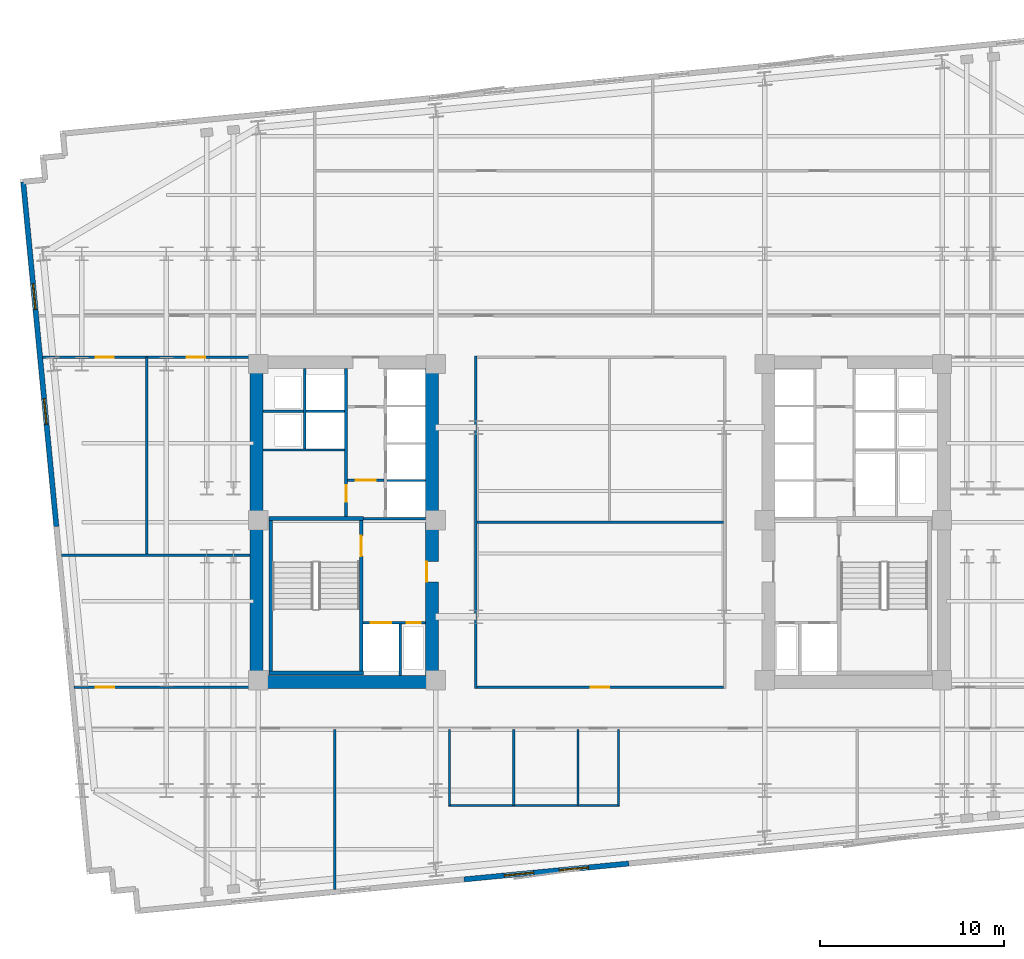
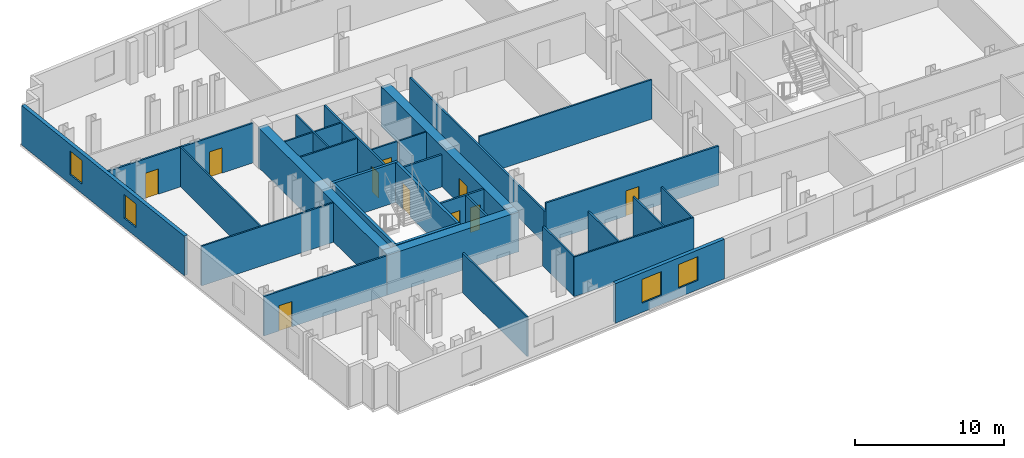
# One storey, part 4 of 10: 32 walls, 10 doors, 4 windows, 14 openings.
"""IFC4 building model written with IfcOpenShell, lengths in metres."""

from ifc_helpers import new_model, si_unit, direction, frame, frame_2d, origin, place, context, subcontext, project, spatial, rectangle, extrude, material, layer, layer_set, type_object, element, fill, save


model = new_model("IFC4")

# Units and contexts
model_context = context("Model", 3, precision=1e-05, world=origin(), true_north=direction((0.0, 1.0)))
body_context = subcontext(model_context, "Body", "Model", "MODEL_VIEW")
ifc_project = project(units=[si_unit("LENGTHUNIT", "METRE"), si_unit("AREAUNIT", "SQUARE_METRE"), si_unit("VOLUMEUNIT", "CUBIC_METRE"), si_unit("PLANEANGLEUNIT", "RADIAN"), si_unit("MASSUNIT", "GRAM", prefix="KILO")], contexts=[model_context])

# Site, building, storey
site_placement = place(None, origin())
site = spatial("IfcSite", under=ifc_project, at=site_placement, CompositionType="ELEMENT")
building_placement = place(site_placement, origin())
building = spatial("IfcBuilding", under=site, at=building_placement, Name="Velakula Bourse", CompositionType="ELEMENT")
storey_placement = place(building_placement, frame((0.0, 0.0, 94.89990234375)))
storey = spatial("IfcBuildingStorey", under=building, at=storey_placement, Name="L25", CompositionType="ELEMENT", Elevation=94.89990234375)

# Wall, opening, door
ifc_material_1 = material(Name="Concrete M50 (fck 50 MPa)", Category="concrete")
ifc_layer_1 = layer(ifc_material_1, 0.2099609375, Name="Concrete M50 (fck 50 MPa)", Category="concrete")
ifc_layer_set_1 = layer_set([ifc_layer_1], Name="Concrete M50 (fck 50 MPa)")
wall_type_1 = type_object("IfcWallType", Name="WL-CORE-210", PredefinedType="SHEAR", material=ifc_layer_set_1)
wall_1_placement = place(storey_placement, frame((-12.9951171875, -8.10009765625, 0.0), z_axis=(0.0, 0.0, 1.0), x_axis=(0.0, 1.0, 0.0)))
wall_1 = element("IfcWall", 1, at=wall_1_placement, inside=storey, type_object=wall_type_1, Name="L25 Core W Stairwell Shear Wall IN", PredefinedType="SHEAR", context=body_context, shape_type="SweptSolid", body=[
    extrude(rectangle(XDim=8.2001953125, YDim=0.2099609375, at=frame_2d((4.10009765625, 0.0))), origin(), (0.0, 0.0, 1.0), 3.27001953125),
])
opening_1_placement = place(wall_1_placement, frame((6.25, 0.0, 0.0)))
opening_1 = element("IfcOpeningElement", 2, at=opening_1_placement, cuts=wall_1, Name="Opening D-STW1", PredefinedType="OPENING", context=body_context, shape_type="SweptSolid", body=[
    extrude(rectangle(XDim=1.10009765625, YDim=2.14990234375, at=frame_2d((0.550048828125, 1.074951171875))), frame((0.0, 0.114990234375, 0.0), z_axis=(0.0, -1.0, 0.0), x_axis=(1.0, 0.0, 0.0)), (0.0, 0.0, 1.0), 0.22998046875),
])
ifc_material_2 = material(Name="Galvanised painted hollow steel fire door", Category="steel")
door_type_1 = type_object("IfcDoorType", Name="DR-FD120-1100x2150", OperationType="NOTDEFINED", PredefinedType="DOOR", material=ifc_material_2)
door_1_placement = place(opening_1_placement, origin())
door_1 = element("IfcDoor", 3, at=door_1_placement, inside=storey, type_object=door_type_1, Name="L25 Stair ST-W1 Fire Door", OperationType="SINGLE_SWING_LEFT", OverallHeight=2.14990234375, OverallWidth=1.10009765625, PredefinedType="DOOR", context=body_context, shape_type="SweptSolid", body=[
    extrude(rectangle(XDim=1.10009765625, YDim=2.14990234375, at=frame_2d((0.550048828125, 1.074951171875))), frame((0.0, 0.02490234375, 0.0), z_axis=(0.0, -1.0, 0.0), x_axis=(1.0, 0.0, 0.0)), (0.0, 0.0, 1.0), 0.050048828125),
])
fill(opening_1, door_1)

# Walls
wall_2_placement = place(storey_placement, frame((-17.925048828125, -8.10009765625, 0.0), z_axis=(0.0, 0.0, 1.0), x_axis=(0.0, 1.0, 0.0)))
element("IfcWall", 4, at=wall_2_placement, inside=storey, type_object=wall_type_1, Name="L25 Core W Stairwell Shear Wall OUT", PredefinedType="SHEAR", context=body_context, shape_type="SweptSolid", body=[
    extrude(rectangle(XDim=8.2001953125, YDim=0.2099609375, at=frame_2d((4.10009765625, 0.0))), origin(), (0.0, 0.0, 1.0), 3.27001953125),
])
for number, where, z_axis, x_axis, name in (
    (5, (-18.030029296875, -8.205078125, 0.0), (0.0, 0.0, 1.0), (1.0, 0.0, 0.0), "L25 Core W Stairwell Shear Wall S"),
    (6, (-12.889892578125, 0.205078125, 0.0), (0.0, 0.0, 1.0), (-1.0, 0.0, 0.0), "L25 Core W Stairwell Shear Wall N"),
):
    element("IfcWall", number, at=place(storey_placement, frame(where, z_axis=z_axis, x_axis=x_axis)), inside=storey, type_object=wall_type_1, Name=name, PredefinedType="SHEAR", context=body_context, shape_type="SweptSolid", body=[
        extrude(rectangle(XDim=5.14013671875, YDim=0.2099609375, at=frame_2d((2.570068359375, 0.0))), origin(), (0.0, 0.0, 1.0), 3.27001953125),
    ])
ifc_material_3 = material(Name="Concrete M70 (fck 70 MPa)", Category="concrete")
ifc_layer_2 = layer(ifc_material_3, 0.699951171875, Name="Concrete M70 (fck 70 MPa)", Category="concrete")
ifc_layer_set_2 = layer_set([ifc_layer_2], Name="Concrete M70 (fck 70 MPa)")
wall_type_2 = type_object("IfcWallType", Name="WL-CORE-700", PredefinedType="SHEAR", material=ifc_layer_set_2)
wall_3_placement = place(storey_placement, frame((-19.050048828125, -8.699951171875, 0.0), z_axis=(0.0, 0.0, 1.0), x_axis=(1.0, 0.0, 0.0)))
element("IfcWall", 7, at=wall_3_placement, inside=storey, type_object=wall_type_2, Name="L25 Core W Shear Wall S", PredefinedType="SHEAR", context=body_context, shape_type="SweptSolid", body=[
    extrude(rectangle(XDim=10.25, YDim=0.699951171875, at=frame_2d((5.125, 0.0))), origin(), (0.0, 0.0, 1.0), 3.27001953125),
])
wall_4_placement = place(storey_placement, frame((-18.699951171875, -8.35009765625, 0.0), z_axis=(0.0, 0.0, 1.0), x_axis=(0.0, 1.0, 0.0)))
element("IfcWall", 8, at=wall_4_placement, inside=storey, type_object=wall_type_2, Name="L25 Core W Shear Wall W", PredefinedType="SHEAR", context=body_context, shape_type="SweptSolid", body=[
    extrude(rectangle(XDim=16.7001953125, YDim=0.699951171875, at=frame_2d((8.35009765625, 0.0))), origin(), (0.0, 0.0, 1.0), 3.27001953125),
])

# Wall, opening, door
wall_5_placement = place(storey_placement, frame((-9.14990234375, -8.35009765625, 0.0), z_axis=(0.0, 0.0, 1.0), x_axis=(0.0, 1.0, 0.0)))
wall_5 = element("IfcWall", 9, at=wall_5_placement, inside=storey, type_object=wall_type_2, Name="L25 Core W Shear Wall E", PredefinedType="SHEAR", context=body_context, shape_type="SweptSolid", body=[
    extrude(rectangle(XDim=16.7001953125, YDim=0.699951171875, at=frame_2d((8.35009765625, 0.0))), origin(), (0.0, 0.0, 1.0), 3.27001953125),
])
opening_2_placement = place(wall_5_placement, frame((5.10009765625, 0.0, 0.0)))
opening_2 = element("IfcOpeningElement", 10, at=opening_2_placement, cuts=wall_5, Name="Opening D-FLW", PredefinedType="OPENING", context=body_context, shape_type="SweptSolid", body=[
    extrude(rectangle(XDim=1.10009765625, YDim=2.080078125, at=frame_2d((0.550048828125, 1.0400390625))), frame((0.0, 0.35986328125, 0.0), z_axis=(0.0, -1.0, 0.0), x_axis=(1.0, 0.0, 0.0)), (0.0, 0.0, 1.0), 0.719970703125),
])
door_type_2 = type_object("IfcDoorType", Name="DR-FD120-1100", OperationType="NOTDEFINED", PredefinedType="DOOR", material=ifc_material_2)
door_2_placement = place(opening_2_placement, origin())
door_2 = element("IfcDoor", 11, at=door_2_placement, inside=storey, type_object=door_type_2, Name="L25 Firefighting Lobby W Corridor Fire Door", OperationType="SINGLE_SWING_LEFT", OverallHeight=2.080078125, OverallWidth=1.10009765625, PredefinedType="DOOR", context=body_context, shape_type="SweptSolid", body=[
    extrude(rectangle(XDim=1.10009765625, YDim=2.080078125, at=frame_2d((0.550048828125, 1.0400390625))), frame((0.0, 0.30517578125, 0.0), z_axis=(0.0, -1.0, 0.0), x_axis=(1.0, 0.0, 0.0)), (0.0, 0.0, 1.0), 0.050048828125),
])
fill(opening_2, door_2)

# Wall, openings, windows
ifc_material_4 = material(Name="Red kilned clay facing brick masonry", Category="masonry")
ifc_layer_3 = layer(ifc_material_4, 0.280029296875, Name="Red kilned clay facing brick masonry", Category="masonry")
ifc_layer_set_3 = layer_set([ifc_layer_3], Name="Red kilned clay facing brick masonry")
wall_type_3 = type_object("IfcWallType", Name="WL-EXT-BRK-280", PredefinedType="STANDARD", material=ifc_layer_set_3)
wall_6_placement = place(storey_placement, frame((1.556396484375, -18.573486328125, 0.0), z_axis=(0.0, 0.0, 1.0), x_axis=(-0.995396794462, -0.09583956164, 0.0)))
wall_6 = element("IfcWall", 12, at=wall_6_placement, inside=storey, type_object=wall_type_3, Name="L25 S Brick Spandrel Wall B2", PredefinedType="STANDARD", context=body_context, shape_type="SweptSolid", body=[
    extrude(rectangle(XDim=9.0, YDim=0.280029296875, at=frame_2d((4.5, 0.0))), origin(), (0.0, 0.0, 1.0), 3.25),
])
opening_3_placement = place(wall_6_placement, frame((2.199951171875, 0.0, 0.760009765625)))
opening_3 = element("IfcOpeningElement", 13, at=opening_3_placement, cuts=wall_6, Name="Opening W-02", PredefinedType="OPENING", context=body_context, shape_type="SweptSolid", body=[
    extrude(rectangle(XDim=1.60009765625, YDim=1.949951171875, at=frame_2d((0.800048828125, 0.97509765625))), frame((0.0, 0.14990234375, 0.0), z_axis=(0.0, -1.0, 0.0), x_axis=(1.0, 0.0, 0.0)), (0.0, 0.0, 1.0), 0.300048828125),
])
opening_4_placement = place(wall_6_placement, frame((5.199951171875, 0.0, 0.760009765625)))
opening_4 = element("IfcOpeningElement", 14, at=opening_4_placement, cuts=wall_6, Name="Opening W-02", PredefinedType="OPENING", context=body_context, shape_type="SweptSolid", body=[
    extrude(rectangle(XDim=1.60009765625, YDim=1.949951171875, at=frame_2d((0.800048828125, 0.97509765625))), frame((0.0, 0.14990234375, 0.0), z_axis=(0.0, -1.0, 0.0), x_axis=(1.0, 0.0, 0.0)), (0.0, 0.0, 1.0), 0.300048828125),
])
ifc_material_5 = material(Name="Double-glazed solar-control Low-E glass", Category="glass")
window_type_1 = type_object("IfcWindowType", Name="WIN-TWR-1600x2100", PartitioningType="SINGLE_PANEL", PredefinedType="WINDOW", material=ifc_material_5)
window_1_placement = place(opening_3_placement, origin())
window_1 = element("IfcWindow", 15, at=window_1_placement, inside=storey, type_object=window_type_1, Name="L25 Deep-Set Recessed Window 1", OverallHeight=1.949951171875, OverallWidth=1.60009765625, PartitioningType="SINGLE_PANEL", PredefinedType="WINDOW", context=body_context, shape_type="SweptSolid", body=[
    extrude(rectangle(XDim=1.60009765625, YDim=1.949951171875, at=frame_2d((0.800048828125, 0.97509765625))), frame((0.0, 0.030029296875, 0.0), z_axis=(0.0, -1.0, 0.0), x_axis=(1.0, 0.0, 0.0)), (0.0, 0.0, 1.0), 0.06005859375),
])
fill(opening_3, window_1)
window_2_placement = place(opening_4_placement, origin())
window_2 = element("IfcWindow", 16, at=window_2_placement, inside=storey, type_object=window_type_1, Name="L25 Deep-Set Recessed Window 2", OverallHeight=1.949951171875, OverallWidth=1.60009765625, PartitioningType="SINGLE_PANEL", PredefinedType="WINDOW", context=body_context, shape_type="SweptSolid", body=[
    extrude(rectangle(XDim=1.60009765625, YDim=1.949951171875, at=frame_2d((0.800048828125, 0.97509765625))), frame((0.0, 0.030029296875, 0.0), z_axis=(0.0, -1.0, 0.0), x_axis=(1.0, 0.0, 0.0)), (0.0, 0.0, 1.0), 0.06005859375),
])
fill(opening_4, window_2)

wall_7_placement = place(storey_placement, frame((-29.584716796875, -0.23388671875, 0.0), z_axis=(0.0, 0.0, 1.0), x_axis=(-0.095841297881, 0.99539662729, 0.0)))
wall_7 = element("IfcWall", 17, at=wall_7_placement, inside=storey, type_object=wall_type_3, Name="L25 W Brick End Wall W2", PredefinedType="STANDARD", context=body_context, shape_type="SweptSolid", body=[
    extrude(rectangle(XDim=18.840087890625, YDim=0.280029296875, at=frame_2d((9.419921875, 0.0))), origin(), (0.0, 0.0, 1.0), 3.25),
])
opening_5_placement = place(wall_7_placement, frame((5.580078125, 0.0, 0.760009765625)))
opening_5 = element("IfcOpeningElement", 18, at=opening_5_placement, cuts=wall_7, Name="Opening W-03", PredefinedType="OPENING", context=body_context, shape_type="SweptSolid", body=[
    extrude(rectangle(XDim=1.39990234375, YDim=1.949951171875, at=frame_2d((0.699951171875, 0.97509765625))), frame((0.0, 0.14990234375, 0.0), z_axis=(0.0, -1.0, 0.0), x_axis=(1.0, 0.0, 0.0)), (0.0, 0.0, 1.0), 0.300048828125),
])
opening_6_placement = place(wall_7_placement, frame((11.860107421875, 0.0, 0.760009765625)))
opening_6 = element("IfcOpeningElement", 19, at=opening_6_placement, cuts=wall_7, Name="Opening W-03", PredefinedType="OPENING", context=body_context, shape_type="SweptSolid", body=[
    extrude(rectangle(XDim=1.39990234375, YDim=1.949951171875, at=frame_2d((0.699951171875, 0.97509765625))), frame((0.0, 0.14990234375, 0.0), z_axis=(0.0, -1.0, 0.0), x_axis=(1.0, 0.0, 0.0)), (0.0, 0.0, 1.0), 0.300048828125),
])
window_type_2 = type_object("IfcWindowType", Name="WIN-TWR-1400x2100", PartitioningType="SINGLE_PANEL", PredefinedType="WINDOW", material=ifc_material_5)
window_3_placement = place(opening_5_placement, origin())
window_3 = element("IfcWindow", 20, at=window_3_placement, inside=storey, type_object=window_type_2, Name="L25 Deep-Set Recessed Window 1", OverallHeight=1.949951171875, OverallWidth=1.39990234375, PartitioningType="SINGLE_PANEL", PredefinedType="WINDOW", context=body_context, shape_type="SweptSolid", body=[
    extrude(rectangle(XDim=1.39990234375, YDim=1.949951171875, at=frame_2d((0.699951171875, 0.97509765625))), frame((0.0, 0.030029296875, 0.0), z_axis=(0.0, -1.0, 0.0), x_axis=(1.0, 0.0, 0.0)), (0.0, 0.0, 1.0), 0.06005859375),
])
fill(opening_5, window_3)
window_4_placement = place(opening_6_placement, origin())
window_4 = element("IfcWindow", 21, at=window_4_placement, inside=storey, type_object=window_type_2, Name="L25 Deep-Set Recessed Window 2", OverallHeight=1.949951171875, OverallWidth=1.39990234375, PartitioningType="SINGLE_PANEL", PredefinedType="WINDOW", context=body_context, shape_type="SweptSolid", body=[
    extrude(rectangle(XDim=1.39990234375, YDim=1.949951171875, at=frame_2d((0.699951171875, 0.97509765625))), frame((0.0, 0.030029296875, 0.0), z_axis=(0.0, -1.0, 0.0), x_axis=(1.0, 0.0, 0.0)), (0.0, 0.0, 1.0), 0.06005859375),
])
fill(opening_6, window_4)

# Wall, opening, door
ifc_material_6 = material(Name="Fire-rated double-layer gypsum drywall partition", Category="gypsum")
ifc_layer_4 = layer(ifc_material_6, 0.1201171875, Name="Fire-rated double-layer gypsum drywall partition", Category="gypsum")
ifc_layer_set_4 = layer_set([ifc_layer_4], Name="Fire-rated double-layer gypsum drywall partition")
wall_type_4 = type_object("IfcWallType", Name="WL-PART-120", PredefinedType="STANDARD", material=ifc_layer_set_4)
wall_8_placement = place(storey_placement, frame((-13.75, 2.280029296875, 0.0), z_axis=(0.0, 0.0, 1.0), x_axis=(1.0, 0.0, 0.0)))
wall_8 = element("IfcWall", 22, at=wall_8_placement, inside=storey, type_object=wall_type_4, Name="L25 Interior Partition WL-CRW-L25-LL-K3A", PredefinedType="STANDARD", context=body_context, shape_type="SweptSolid", body=[
    extrude(rectangle(XDim=2.0, YDim=0.1201171875, at=frame_2d((1.0, 0.0))), origin(), (0.0, 0.0, 1.0), 3.25),
])
opening_7_placement = place(wall_8_placement, frame((0.449951171875, 0.0, 0.0)))
opening_7 = element("IfcOpeningElement", 23, at=opening_7_placement, cuts=wall_8, Name="Opening D-LK3", PredefinedType="OPENING", context=body_context, shape_type="SweptSolid", body=[
    extrude(rectangle(XDim=1.10009765625, YDim=2.10009765625, at=frame_2d((0.550048828125, 1.050048828125))), frame((0.0, 0.070068359375, 0.0), z_axis=(0.0, -1.0, 0.0), x_axis=(1.0, 0.0, 0.0)), (0.0, 0.0, 1.0), 0.14013671875),
])
ifc_material_7 = material(Name="Fire-rated hardwood flush architectural door", Category="wood")
door_type_3 = type_object("IfcDoorType", Name="DR-FD60-1100x2100", OperationType="NOTDEFINED", PredefinedType="DOOR", material=ifc_material_7)
door_3_placement = place(opening_7_placement, origin())
door_3 = element("IfcDoor", 24, at=door_3_placement, inside=storey, type_object=door_type_3, Name="L25 Core W Lift Lobby Vestibule Door A", OperationType="SINGLE_SWING_RIGHT", OverallHeight=2.10009765625, OverallWidth=1.10009765625, PredefinedType="DOOR", context=body_context, shape_type="SweptSolid", body=[
    extrude(rectangle(XDim=1.10009765625, YDim=2.10009765625, at=frame_2d((0.550048828125, 1.050048828125))), frame((0.0, 0.02490234375, 0.0), z_axis=(0.0, -1.0, 0.0), x_axis=(1.0, 0.0, 0.0)), (0.0, 0.0, 1.0), 0.050048828125),
])
fill(opening_7, door_3)

# Walls
wall_9_placement = place(storey_placement, frame((-11.60009765625, 2.2548828125, 0.0), z_axis=(0.0, 0.0, 1.0), x_axis=(1.0, 0.0, 0.0)))
element("IfcWall", 25, at=wall_9_placement, inside=storey, type_object=wall_type_4, Name="L25 Interior Partition WL-CRW-L25-BDIV-0", PredefinedType="STANDARD", context=body_context, shape_type="SweptSolid", body=[
    extrude(rectangle(XDim=2.10009765625, YDim=0.110107421875, at=frame_2d((1.050048828125, 0.0))), origin(), (0.0, 0.0, 1.0), 3.25),
])
wall_10_placement = place(storey_placement, frame((-18.35009765625, 3.919921875, 0.0), z_axis=(0.0, 0.0, 1.0), x_axis=(1.0, 0.0, 0.0)))
element("IfcWall", 26, at=wall_10_placement, inside=storey, type_object=wall_type_4, Name="L25 Interior Partition WL-CRW-L25-HI-S", PredefinedType="STANDARD", context=body_context, shape_type="SweptSolid", body=[
    extrude(rectangle(XDim=4.4501953125, YDim=0.1201171875, at=frame_2d((2.22509765625, 0.0))), origin(), (0.0, 0.0, 1.0), 3.25),
])
wall_11_placement = place(storey_placement, frame((-18.35009765625, 6.030029296875, 0.0), z_axis=(0.0, 0.0, 1.0), x_axis=(1.0, 0.0, 0.0)))
element("IfcWall", 27, at=wall_11_placement, inside=storey, type_object=wall_type_4, Name="L25 Interior Partition WL-CRW-L25-RIS-MID", PredefinedType="STANDARD", context=body_context, shape_type="SweptSolid", body=[
    extrude(rectangle(XDim=2.2001953125, YDim=0.1201171875, at=frame_2d((1.10009765625, 0.0))), origin(), (0.0, 0.0, 1.0), 3.25),
])
wall_12_placement = place(storey_placement, frame((-16.074951171875, 3.97998046875, 0.0), z_axis=(0.0, 0.0, 1.0), x_axis=(0.0, 1.0, 0.0)))
element("IfcWall", 28, at=wall_12_placement, inside=storey, type_object=wall_type_4, Name="L25 Interior Partition WL-CRW-L25-RIS-F", PredefinedType="STANDARD", context=body_context, shape_type="SweptSolid", body=[
    extrude(rectangle(XDim=4.3701171875, YDim=0.1201171875, at=frame_2d((2.18505859375, 0.0))), origin(), (0.0, 0.0, 1.0), 3.25),
])
wall_13_placement = place(storey_placement, frame((-16.0, 6.030029296875, 0.0), z_axis=(0.0, 0.0, 1.0), x_axis=(1.0, 0.0, 0.0)))
element("IfcWall", 29, at=wall_13_placement, inside=storey, type_object=wall_type_4, Name="L25 Interior Partition WL-CRW-L25-HI-DIV", PredefinedType="STANDARD", context=body_context, shape_type="SweptSolid", body=[
    extrude(rectangle(XDim=2.10009765625, YDim=0.1201171875, at=frame_2d((1.050048828125, 0.0))), origin(), (0.0, 0.0, 1.0), 3.25),
])
wall_14_placement = place(storey_placement, frame((-8.260009765625, -15.419921875, 0.0), z_axis=(0.0, 0.0, 1.0), x_axis=(1.0, 0.0, 0.0)))
element("IfcWall", 30, at=wall_14_placement, inside=storey, type_object=wall_type_4, Name="L25 Interior Partition WL-WC-L25-BACK", PredefinedType="STANDARD", context=body_context, shape_type="SweptSolid", body=[
    extrude(rectangle(XDim=9.320068359375, YDim=0.1201171875, at=frame_2d((4.66015625, 0.0))), origin(), (0.0, 0.0, 1.0), 3.25),
])
for number, where, z_axis, x_axis, name in (
    (31, (-8.199951171875, -15.419921875, 0.0), (0.0, 0.0, 1.0), (0.0, 1.0, 0.0), "L25 Interior Partition WL-WC-L25-V1"),
    (32, (-4.699951171875, -15.419921875, 0.0), (0.0, 0.0, 1.0), (0.0, 1.0, 0.0), "L25 Interior Partition WL-WC-L25-V2"),
    (33, (-1.199951171875, -15.419921875, 0.0), (0.0, 0.0, 1.0), (0.0, 1.0, 0.0), "L25 Interior Partition WL-WC-L25-V3"),
    (34, (1.0, -15.419921875, 0.0), (0.0, 0.0, 1.0), (0.0, 1.0, 0.0), "L25 Interior Partition WL-WC-L25-V4"),
):
    element("IfcWall", number, at=place(storey_placement, frame(where, z_axis=z_axis, x_axis=x_axis)), inside=storey, type_object=wall_type_4, Name=name, PredefinedType="STANDARD", context=body_context, shape_type="SweptSolid", body=[
        extrude(rectangle(XDim=4.1298828125, YDim=0.1201171875, at=frame_2d((2.06494140625, 0.0))), origin(), (0.0, 0.0, 1.0), 3.25),
    ])
wall_15_placement = place(storey_placement, frame((-14.443115234375, -19.993408203125, 0.0), z_axis=(0.0, 0.0, 1.0), x_axis=(0.0, 1.0, 0.0)))
element("IfcWall", 35, at=wall_15_placement, inside=storey, type_object=wall_type_4, Name="L25 Interior Partition WL-INT-L25-SL-D6", PredefinedType="STANDARD", context=body_context, shape_type="SweptSolid", body=[
    extrude(rectangle(XDim=8.703369140625, YDim=0.1201171875, at=frame_2d((4.3515625, 0.0))), origin(), (0.0, 0.0, 1.0), 3.25),
])
wall_16_placement = place(storey_placement, frame((-29.313232421875, -1.800048828125, 0.0), z_axis=(0.0, 0.0, 1.0), x_axis=(1.0, 0.0, 0.0)))
element("IfcWall", 36, at=wall_16_placement, inside=storey, type_object=wall_type_4, Name="L25 Interior Partition WL-INT-L25-W-H", PredefinedType="STANDARD", context=body_context, shape_type="SweptSolid", body=[
    extrude(rectangle(XDim=10.26318359375, YDim=0.1201171875, at=frame_2d((5.131591796875, 0.0))), origin(), (0.0, 0.0, 1.0), 3.25),
])
wall_17_placement = place(storey_placement, frame((-24.6708984375, -1.739990234375, 0.0), z_axis=(0.0, 0.0, 1.0), x_axis=(0.0, 1.0, 0.0)))
element("IfcWall", 37, at=wall_17_placement, inside=storey, type_object=wall_type_4, Name="L25 Interior Partition WL-INT-L25-W-VN", PredefinedType="STANDARD", context=body_context, shape_type="SweptSolid", body=[
    extrude(rectangle(XDim=10.719970703125, YDim=0.1201171875, at=frame_2d((5.35986328125, 0.0))), origin(), (0.0, 0.0, 1.0), 3.25),
])

# Wall, openings, doors
ifc_layer_5 = layer(ifc_material_6, 0.139892578125, Name="Fire-rated double-layer gypsum drywall partition", Category="gypsum")
ifc_layer_set_5 = layer_set([ifc_layer_5], Name="Fire-rated double-layer gypsum drywall partition")
wall_type_5 = type_object("IfcWallType", Name="WL-PART-140", PredefinedType="STANDARD", material=ifc_layer_set_5)
wall_18_placement = place(storey_placement, frame((-30.351318359375, 8.97998046875, 0.0), z_axis=(0.0, 0.0, 1.0), x_axis=(1.0, 0.0, 0.0)))
wall_18 = element("IfcWall", 38, at=wall_18_placement, inside=storey, type_object=wall_type_5, Name="L25 Interior Partition WL-INT-L25-W-NC", PredefinedType="STANDARD", context=body_context, shape_type="SweptSolid", body=[
    extrude(rectangle(XDim=11.30126953125, YDim=0.139892578125, at=frame_2d((5.650634765625, 0.0))), origin(), (0.0, 0.0, 1.0), 3.25),
])
opening_8_placement = place(wall_18_placement, frame((2.900146484375, 0.0, 0.0)))
opening_8 = element("IfcOpeningElement", 39, at=opening_8_placement, cuts=wall_18, Name="Opening D-OF1", PredefinedType="OPENING", context=body_context, shape_type="SweptSolid", body=[
    extrude(rectangle(XDim=1.0, YDim=2.080078125, at=frame_2d((0.5, 1.0400390625))), frame((0.0, 0.079833984375, 0.0), z_axis=(0.0, -1.0, 0.0), x_axis=(1.0, 0.0, 0.0)), (0.0, 0.0, 1.0), 0.159912109375),
])
opening_9_placement = place(wall_18_placement, frame((7.86083984375, 0.0, 0.0)))
opening_9 = element("IfcOpeningElement", 40, at=opening_9_placement, cuts=wall_18, Name="Opening D-OF1", PredefinedType="OPENING", context=body_context, shape_type="SweptSolid", body=[
    extrude(rectangle(XDim=1.0, YDim=2.080078125, at=frame_2d((0.5, 1.0400390625))), frame((0.0, 0.079833984375, 0.0), z_axis=(0.0, -1.0, 0.0), x_axis=(1.0, 0.0, 0.0)), (0.0, 0.0, 1.0), 0.159912109375),
])
door_type_4 = type_object("IfcDoorType", Name="DR-OFF-1000", OperationType="NOTDEFINED", PredefinedType="DOOR", material=ifc_material_7)
door_4_placement = place(opening_8_placement, origin())
door_4 = element("IfcDoor", 41, at=door_4_placement, inside=storey, type_object=door_type_4, Name="L25 Compliance Review Office Door", OperationType="SINGLE_SWING_RIGHT", OverallHeight=2.080078125, OverallWidth=1.0, PredefinedType="DOOR", context=body_context, shape_type="SweptSolid", body=[
    extrude(rectangle(XDim=1.0, YDim=2.080078125, at=frame_2d((0.5, 1.0400390625))), frame((0.0, 0.02490234375, 0.0), z_axis=(0.0, -1.0, 0.0), x_axis=(1.0, 0.0, 0.0)), (0.0, 0.0, 1.0), 0.050048828125),
])
fill(opening_8, door_4)
door_5_placement = place(opening_9_placement, origin())
door_5 = element("IfcDoor", 42, at=door_5_placement, inside=storey, type_object=door_type_4, Name="L25 Risk Review Boardroom Door", OperationType="SINGLE_SWING_LEFT", OverallHeight=2.080078125, OverallWidth=1.0, PredefinedType="DOOR", context=body_context, shape_type="SweptSolid", body=[
    extrude(rectangle(XDim=1.0, YDim=2.080078125, at=frame_2d((0.5, 1.0400390625))), frame((0.0, 0.02490234375, 0.0), z_axis=(0.0, -1.0, 0.0), x_axis=(1.0, 0.0, 0.0)), (0.0, 0.0, 1.0), 0.050048828125),
])
fill(opening_9, door_5)

# Wall, opening, door
wall_19_placement = place(storey_placement, frame((-28.6220703125, -8.97998046875, 0.0), z_axis=(0.0, 0.0, 1.0), x_axis=(1.0, 0.0, 0.0)))
wall_19 = element("IfcWall", 43, at=wall_19_placement, inside=storey, type_object=wall_type_5, Name="L25 Interior Partition WL-INT-L25-W-SC", PredefinedType="STANDARD", context=body_context, shape_type="SweptSolid", body=[
    extrude(rectangle(XDim=9.572021484375, YDim=0.139892578125, at=frame_2d((4.7861328125, 0.0))), origin(), (0.0, 0.0, 1.0), 3.25),
])
opening_10_placement = place(wall_19_placement, frame((1.177490234375, 0.0, 0.0)))
opening_10 = element("IfcOpeningElement", 44, at=opening_10_placement, cuts=wall_19, Name="Opening D-OF1", PredefinedType="OPENING", context=body_context, shape_type="SweptSolid", body=[
    extrude(rectangle(XDim=1.0, YDim=2.080078125, at=frame_2d((0.5, 1.0400390625))), frame((0.0, 0.079833984375, 0.0), z_axis=(0.0, -1.0, 0.0), x_axis=(1.0, 0.0, 0.0)), (0.0, 0.0, 1.0), 0.159912109375),
])
door_6_placement = place(opening_10_placement, origin())
door_6 = element("IfcDoor", 45, at=door_6_placement, inside=storey, type_object=door_type_4, Name="L25 Compliance Review Office Door", OperationType="SINGLE_SWING_RIGHT", OverallHeight=2.080078125, OverallWidth=1.0, PredefinedType="DOOR", context=body_context, shape_type="SweptSolid", body=[
    extrude(rectangle(XDim=1.0, YDim=2.080078125, at=frame_2d((0.5, 1.0400390625))), frame((0.0, 0.02490234375, 0.0), z_axis=(0.0, -1.0, 0.0), x_axis=(1.0, 0.0, 0.0)), (0.0, 0.0, 1.0), 0.050048828125),
])
fill(opening_10, door_6)

# Wall
wall_20_placement = place(storey_placement, frame((-6.780029296875, -9.050048828125, 0.0), z_axis=(0.0, 0.0, 1.0), x_axis=(0.0, 1.0, 0.0)))
element("IfcWall", 46, at=wall_20_placement, inside=storey, type_object=wall_type_5, Name="L25 Interior Partition WL-INT-L25-MID-W", PredefinedType="STANDARD", context=body_context, shape_type="SweptSolid", body=[
    extrude(rectangle(XDim=18.10009765625, YDim=0.139892578125, at=frame_2d((9.050048828125, 0.0))), origin(), (0.0, 0.0, 1.0), 2.64501953125),
])

# Wall, opening, door
wall_21_placement = place(storey_placement, frame((-6.7099609375, -8.97998046875, 0.0), z_axis=(0.0, 0.0, 1.0), x_axis=(1.0, 0.0, 0.0)))
wall_21 = element("IfcWall", 47, at=wall_21_placement, inside=storey, type_object=wall_type_5, Name="L25 Interior Partition WL-INT-L25-MID-S", PredefinedType="STANDARD", context=body_context, shape_type="SweptSolid", body=[
    extrude(rectangle(XDim=13.419921875, YDim=0.139892578125, at=frame_2d((6.7099609375, 0.0))), origin(), (0.0, 0.0, 1.0), 3.25),
])
opening_11_placement = place(wall_21_placement, frame((6.2099609375, 0.0, 0.0)))
opening_11 = element("IfcOpeningElement", 48, at=opening_11_placement, cuts=wall_21, Name="Opening D-OF1", PredefinedType="OPENING", context=body_context, shape_type="SweptSolid", body=[
    extrude(rectangle(XDim=1.0, YDim=2.080078125, at=frame_2d((0.5, 1.0400390625))), frame((0.0, 0.079833984375, 0.0), z_axis=(0.0, -1.0, 0.0), x_axis=(1.0, 0.0, 0.0)), (0.0, 0.0, 1.0), 0.159912109375),
])
door_7_placement = place(opening_11_placement, origin())
door_7 = element("IfcDoor", 49, at=door_7_placement, inside=storey, type_object=door_type_4, Name="L25 Central Dealing Workspace Door", OperationType="SINGLE_SWING_RIGHT", OverallHeight=2.080078125, OverallWidth=1.0, PredefinedType="DOOR", context=body_context, shape_type="SweptSolid", body=[
    extrude(rectangle(XDim=1.0, YDim=2.080078125, at=frame_2d((0.5, 1.0400390625))), frame((0.0, 0.02490234375, 0.0), z_axis=(0.0, -1.0, 0.0), x_axis=(1.0, 0.0, 0.0)), (0.0, 0.0, 1.0), 0.050048828125),
])
fill(opening_11, door_7)

# Wall
wall_22_placement = place(storey_placement, frame((-6.7099609375, 0.0, 0.0), z_axis=(0.0, 0.0, 1.0), x_axis=(1.0, 0.0, 0.0)))
element("IfcWall", 50, at=wall_22_placement, inside=storey, type_object=wall_type_5, Name="L25 Interior Partition WL-INT-L25-MD3H", PredefinedType="STANDARD", context=body_context, shape_type="SweptSolid", body=[
    extrude(rectangle(XDim=13.419921875, YDim=0.1201171875, at=frame_2d((6.7099609375, 0.0))), origin(), (0.0, 0.0, 1.0), 3.25),
])

# Wall, openings, doors
ifc_material_8 = material(Name="Autoclaved aerated concrete blockwork masonry", Category="masonry")
ifc_layer_6 = layer(ifc_material_8, 0.14990234375, Name="Autoclaved aerated concrete blockwork masonry", Category="masonry")
ifc_layer_set_6 = layer_set([ifc_layer_6], Name="Autoclaved aerated concrete blockwork masonry")
wall_type_6 = type_object("IfcWallType", Name="WL-SHAFT-150", PredefinedType="STANDARD", material=ifc_layer_set_6)
wall_23_placement = place(storey_placement, frame((-12.89501953125, -5.47509765625, 0.0), z_axis=(0.0, 0.0, 1.0), x_axis=(1.0, 0.0, 0.0)))
wall_23 = element("IfcWall", 51, at=wall_23_placement, inside=storey, type_object=wall_type_6, Name="L25 Interior Partition WL-CRW-L25-FFL-N", PredefinedType="STANDARD", context=body_context, shape_type="SweptSolid", body=[
    extrude(rectangle(XDim=3.39501953125, YDim=0.14990234375, at=frame_2d((1.697509765625, 0.0))), origin(), (0.0, 0.0, 1.0), 3.25),
])
opening_12_placement = place(wall_23_placement, frame((0.419921875, 0.0, 0.0)))
opening_12 = element("IfcOpeningElement", 52, at=opening_12_placement, cuts=wall_23, Name="Opening LD-FFL-1", PredefinedType="OPENING", context=body_context, shape_type="SweptSolid", body=[
    extrude(rectangle(XDim=1.10009765625, YDim=2.14990234375, at=frame_2d((0.550048828125, 1.074951171875))), frame((0.0, 0.0849609375, 0.0), z_axis=(0.0, -1.0, 0.0), x_axis=(1.0, 0.0, 0.0)), (0.0, 0.0, 1.0), 0.169921875),
])
opening_13_placement = place(wall_23_placement, frame((2.3701171875, 0.0, 0.0)))
opening_13 = element("IfcOpeningElement", 53, at=opening_13_placement, cuts=wall_23, Name="Opening D-RS1", PredefinedType="OPENING", context=body_context, shape_type="SweptSolid", body=[
    extrude(rectangle(XDim=0.75, YDim=2.050048828125, at=frame_2d((0.375, 1.02490234375))), frame((0.0, 0.0849609375, 0.0), z_axis=(0.0, -1.0, 0.0), x_axis=(1.0, 0.0, 0.0)), (0.0, 0.0, 1.0), 0.169921875),
])
door_type_5 = type_object("IfcDoorType", Name="DR-RISER-800", OperationType="NOTDEFINED", PredefinedType="DOOR", material=ifc_material_2)
door_8_placement = place(opening_13_placement, origin())
door_8 = element("IfcDoor", 54, at=door_8_placement, inside=storey, type_object=door_type_5, Name="L25 Fire Riser Access Door", OperationType="SINGLE_SWING_LEFT", OverallHeight=2.050048828125, OverallWidth=0.75, PredefinedType="DOOR", context=body_context, shape_type="SweptSolid", body=[
    extrude(rectangle(XDim=0.75, YDim=2.050048828125, at=frame_2d((0.375, 1.02490234375))), frame((0.0, 0.02490234375, 0.0), z_axis=(0.0, -1.0, 0.0), x_axis=(1.0, 0.0, 0.0)), (0.0, 0.0, 1.0), 0.050048828125),
])
fill(opening_13, door_8)
ifc_material_9 = material(Name="Brushed grade 316 stainless steel", Category="steel")
door_type_6 = type_object("IfcDoorType", Name="DR-SLIDE-FFL-1100", OperationType="DOUBLE_DOOR_SLIDING", PredefinedType="DOOR", material=ifc_material_9)
door_9_placement = place(opening_12_placement, origin())
door_9 = element("IfcDoor", 55, at=door_9_placement, inside=storey, type_object=door_type_6, Name="L25 Firefighting Lift FFL-1 Sliding Landing Door", OperationType="DOUBLE_DOOR_SLIDING", OverallHeight=2.14990234375, OverallWidth=1.10009765625, PredefinedType="DOOR", context=body_context, shape_type="SweptSolid", body=[
    extrude(rectangle(XDim=1.10009765625, YDim=2.14990234375, at=frame_2d((0.550048828125, 1.074951171875))), frame((0.0, 0.02490234375, 0.0), z_axis=(0.0, -1.0, 0.0), x_axis=(1.0, 0.0, 0.0)), (0.0, 0.0, 1.0), 0.050048828125),
])
fill(opening_12, door_9)

# Walls
wall_24_placement = place(storey_placement, frame((-10.875, -8.35009765625, 0.0), z_axis=(0.0, 0.0, 1.0), x_axis=(0.0, 1.0, 0.0)))
element("IfcWall", 56, at=wall_24_placement, inside=storey, type_object=wall_type_6, Name="L25 Interior Partition WL-CRW-L25-FR-DIV", PredefinedType="STANDARD", context=body_context, shape_type="SweptSolid", body=[
    extrude(rectangle(XDim=2.800048828125, YDim=0.14990234375, at=frame_2d((1.39990234375, 0.0))), origin(), (0.0, 0.0, 1.0), 3.25),
])
wall_25_placement = place(storey_placement, frame((-12.889892578125, 0.18994140625, 0.0), z_axis=(0.0, 0.0, 1.0), x_axis=(1.0, 0.0, 0.0)))
element("IfcWall", 57, at=wall_25_placement, inside=storey, type_object=wall_type_6, Name="L25 Interior Partition WL-CRW-L25-FF-TOP", PredefinedType="STANDARD", context=body_context, shape_type="SweptSolid", body=[
    extrude(rectangle(XDim=3.389892578125, YDim=0.14990234375, at=frame_2d((1.69482421875, 0.0))), origin(), (0.0, 0.0, 1.0), 2.64501953125),
])

# Wall, opening, door
wall_26_placement = place(storey_placement, frame((-13.824951171875, 0.27001953125, 0.0), z_axis=(0.0, 0.0, 1.0), x_axis=(0.0, 1.0, 0.0)))
wall_26 = element("IfcWall", 58, at=wall_26_placement, inside=storey, type_object=wall_type_6, Name="L25 Interior Partition WL-CRW-L25-OUT-F", PredefinedType="STANDARD", context=body_context, shape_type="SweptSolid", body=[
    extrude(rectangle(XDim=8.080078125, YDim=0.14990234375, at=frame_2d((4.0400390625, 0.0))), origin(), (0.0, 0.0, 1.0), 3.25),
])
opening_14_placement = place(wall_26_placement, frame((0.85009765625, 0.0, 0.0)))
opening_14 = element("IfcOpeningElement", 59, at=opening_14_placement, cuts=wall_26, Name="Opening D-CR3", PredefinedType="OPENING", context=body_context, shape_type="SweptSolid", body=[
    extrude(rectangle(XDim=0.89990234375, YDim=2.050048828125, at=frame_2d((0.449951171875, 1.02490234375))), frame((0.0, 0.0849609375, 0.0), z_axis=(0.0, -1.0, 0.0), x_axis=(1.0, 0.0, 0.0)), (0.0, 0.0, 1.0), 0.169921875),
])
door_type_7 = type_object("IfcDoorType", Name="DR-INT-900", OperationType="NOTDEFINED", PredefinedType="DOOR", material=ifc_material_7)
door_10_placement = place(opening_14_placement, origin())
door_10 = element("IfcDoor", 60, at=door_10_placement, inside=storey, type_object=door_type_7, Name="L25 Core Stationery and Mail Room Door", OperationType="SINGLE_SWING_RIGHT", OverallHeight=2.050048828125, OverallWidth=0.89990234375, PredefinedType="DOOR", context=body_context, shape_type="SweptSolid", body=[
    extrude(rectangle(XDim=0.89990234375, YDim=2.050048828125, at=frame_2d((0.449951171875, 1.02490234375))), frame((0.0, 0.02490234375, 0.0), z_axis=(0.0, -1.0, 0.0), x_axis=(1.0, 0.0, 0.0)), (0.0, 0.0, 1.0), 0.050048828125),
])
fill(opening_14, door_10)

save(model, "model.ifc")
